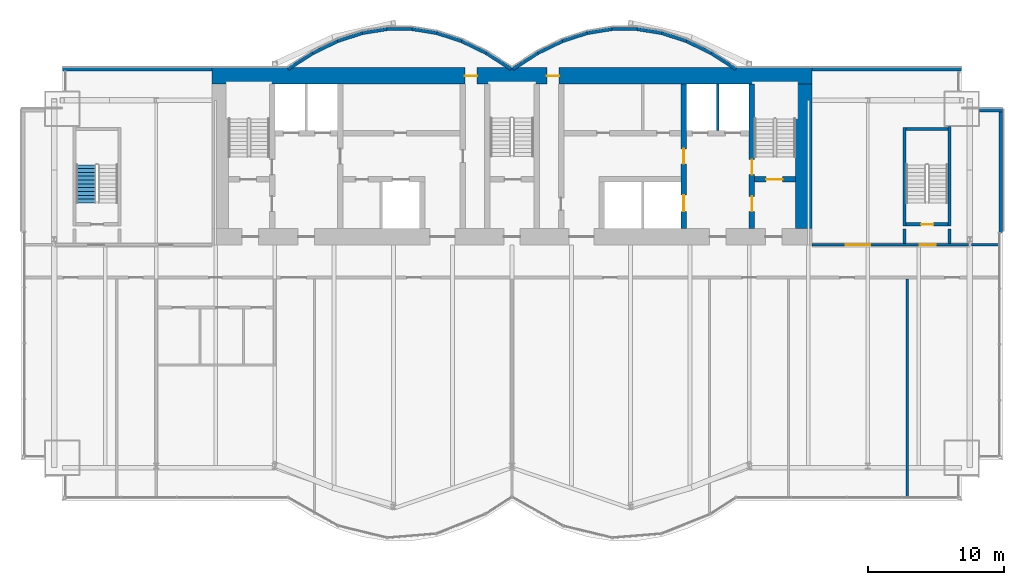
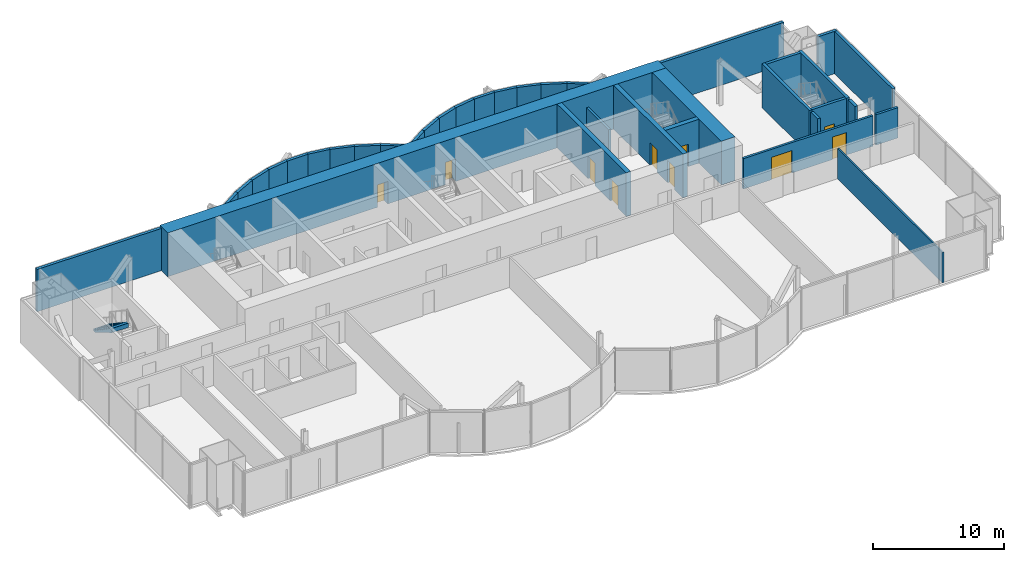
# One storey, part 16 of 20: 37 walls, 10 doors, 1 stair flight, 10 openings, 1 element without a shape of its own.
"""IFC4 building model written with IfcOpenShell, lengths in metres."""

from ifc_helpers import new_model, si_unit, direction, frame, frame_2d, origin, place, context, subcontext, project, spatial, polyline, rectangle, outline, extrude, material, layer, layer_set, layer_usage, type_object, element, fill, aggregate, save


model = new_model("IFC4")

# Units and contexts
model_context = context("Model", 3, precision=1e-05, world=origin(), true_north=direction((0.0, 1.0)))
body_context = subcontext(model_context, "Body", "Model", "MODEL_VIEW")
ifc_project = project(units=[si_unit("LENGTHUNIT", "METRE"), si_unit("AREAUNIT", "SQUARE_METRE"), si_unit("VOLUMEUNIT", "CUBIC_METRE"), si_unit("PLANEANGLEUNIT", "RADIAN"), si_unit("MASSUNIT", "GRAM", prefix="KILO")], contexts=[model_context])

# Site, building, storey
site_placement = place(None, origin())
site = spatial("IfcSite", under=ifc_project, at=site_placement, CompositionType="ELEMENT")
building_placement = place(site_placement, origin())
building = spatial("IfcBuilding", under=site, at=building_placement, Name="Bicima Exchange Tower", CompositionType="ELEMENT")
storey_placement = place(building_placement, frame((0.0, 0.0, 215.5)))
storey = spatial("IfcBuildingStorey", under=building, at=storey_placement, Name="L48", CompositionType="ELEMENT", Elevation=215.5)

# Wall
ifc_material_1 = material(Name="Gypsum board partition")
ifc_layer_1 = layer(ifc_material_1, 0.199951171875)
ifc_layer_set_1 = layer_set([ifc_layer_1], Name="Gypsum board partition")
wall_type_1 = type_object("IfcWallType", Name="Fire-rated gypsum partition 200 EI120", PredefinedType="PARTITIONING", material=ifc_layer_set_1)
wall_1_placement = place(storey_placement, frame((15.10009765625, -4.60009765625, 0.0), z_axis=(0.0, 0.0, 1.0), x_axis=(0.0, 1.0, 0.0)))
element("IfcWall", 1, at=wall_1_placement, inside=storey, type_object=wall_type_1, Name="partition wall 21", PredefinedType="PARTITIONING", context=body_context, shape_type="SweptSolid", body=[
    extrude(rectangle(XDim=3.400146484375, YDim=0.199951171875, at=frame_2d((1.7001953125, 0.0))), origin(), (0.0, 0.0, 1.0), 2.84033203125),
])

# Wall, openings, doors
ifc_layer_2 = layer(ifc_material_1, 0.199951171875)
ifc_layer_set_2 = layer_set([ifc_layer_2], Name="Gypsum board partition")
wall_type_2 = type_object("IfcWallType", Name="Fire-rated gypsum partition 200 EI60", PredefinedType="PARTITIONING", material=ifc_layer_set_2)
wall_2_placement = place(storey_placement, frame((22.0, -13.0, 0.0), z_axis=(0.0, 0.0, 1.0), x_axis=(1.0, 0.0, 0.0)))
wall_2 = element("IfcWall", 2, at=wall_2_placement, inside=storey, type_object=wall_type_2, Name="partition wall 6", PredefinedType="PARTITIONING", context=body_context, shape_type="SweptSolid", body=[
    extrude(rectangle(XDim=11.47998046875, YDim=0.199951171875, at=frame_2d((5.739990234375, 0.0))), origin(), (0.0, 0.0, 1.0), 2.84033203125),
])
opening_1_placement = place(wall_2_placement, frame((7.89990234375, 0.0, 0.0)))
opening_1 = element("IfcOpeningElement", 3, at=opening_1_placement, cuts=wall_2, Name="Opening L48-003", PredefinedType="OPENING", context=body_context, shape_type="SweptSolid", body=[
    extrude(rectangle(XDim=1.199951171875, YDim=2.10009765625, at=frame_2d((0.60009765625, 1.050048828125))), frame((0.0, 0.11181640625, 0.0), z_axis=(0.0, -1.0, 0.0), x_axis=(1.0, 0.0, 0.0)), (0.0, 0.0, 1.0), 0.223876953125),
])
opening_2_placement = place(wall_2_placement, frame((2.5, 0.0, 0.0)))
opening_2 = element("IfcOpeningElement", 4, at=opening_2_placement, cuts=wall_2, Name="Opening L48-006", PredefinedType="OPENING", context=body_context, shape_type="SweptSolid", body=[
    extrude(rectangle(XDim=1.800048828125, YDim=2.10009765625, at=frame_2d((0.89990234375, 1.050048828125))), frame((0.0, 0.11181640625, 0.0), z_axis=(0.0, -1.0, 0.0), x_axis=(1.0, 0.0, 0.0)), (0.0, 0.0, 1.0), 0.223876953125),
])
ifc_material_2 = material(Name="Steel fire door leaf", Category="steel")
door_type_1 = type_object("IfcDoorType", Name="Door 1200 swing FD30S", OperationType="SINGLE_SWING_LEFT", PredefinedType="DOOR", material=ifc_material_2)
door_1_placement = place(opening_1_placement, origin())
door_1 = element("IfcDoor", 5, at=door_1_placement, inside=storey, type_object=door_type_1, Name="Door", OperationType="SINGLE_SWING_RIGHT", OverallHeight=2.10009765625, OverallWidth=1.199951171875, PredefinedType="DOOR", context=body_context, shape_type="SweptSolid", body=[
    extrude(rectangle(XDim=1.199951171875, YDim=2.10009765625, at=frame_2d((0.60009765625, 1.050048828125))), frame((0.0, 0.02490234375, 0.0), z_axis=(0.0, -1.0, 0.0), x_axis=(1.0, 0.0, 0.0)), (0.0, 0.0, 1.0), 0.050048828125),
])
fill(opening_1, door_1)
door_type_2 = type_object("IfcDoorType", Name="Door 1800 double swing FD30S", OperationType="DOUBLE_DOOR_SINGLE_SWING", PredefinedType="DOOR", material=ifc_material_2)
door_2_placement = place(opening_2_placement, origin())
door_2 = element("IfcDoor", 6, at=door_2_placement, inside=storey, type_object=door_type_2, Name="Door", OperationType="SINGLE_SWING_LEFT", OverallHeight=2.10009765625, OverallWidth=1.800048828125, PredefinedType="DOOR", context=body_context, shape_type="SweptSolid", body=[
    extrude(rectangle(XDim=1.800048828125, YDim=2.10009765625, at=frame_2d((0.89990234375, 1.050048828125))), frame((0.0, 0.02490234375, 0.0), z_axis=(0.0, -1.0, 0.0), x_axis=(1.0, 0.0, 0.0)), (0.0, 0.0, 1.0), 0.050048828125),
])
fill(opening_2, door_2)

# Walls
wall_3_placement = place(storey_placement, frame((33.719970703125, -13.0, 0.0), z_axis=(0.0, 0.0, 1.0), x_axis=(1.0, 0.0, 0.0)))
element("IfcWall", 7, at=wall_3_placement, inside=storey, type_object=wall_type_2, Name="partition wall 7", PredefinedType="PARTITIONING", context=body_context, shape_type="SweptSolid", body=[
    extrude(rectangle(XDim=1.9599609375, YDim=0.199951171875, at=frame_2d((0.97998046875, 0.0))), origin(), (0.0, 0.0, 1.0), 2.84033203125),
])
ifc_layer_3 = layer(ifc_material_1, 0.14990234375)
ifc_layer_set_3 = layer_set([ifc_layer_3], Name="Gypsum board partition")
wall_type_3 = type_object("IfcWallType", Name="Gypsum partition 150", PredefinedType="PARTITIONING", material=ifc_layer_set_3)
wall_4_placement = place(storey_placement, frame((29.0, -31.5400390625, 0.0), z_axis=(0.0, 0.0, 1.0), x_axis=(0.0, 1.0, 0.0)))
element("IfcWall", 8, at=wall_4_placement, inside=storey, type_object=wall_type_3, Name="partition wall 26", PredefinedType="PARTITIONING", context=body_context, shape_type="SweptSolid", body=[
    extrude(rectangle(XDim=16.0400390625, YDim=0.14990234375, at=frame_2d((8.02001953125, 0.0))), origin(), (0.0, 0.0, 1.0), 2.84033203125),
])

# Wall, openings, doors
ifc_material_3 = material(Name="Concrete C50/60", Category="concrete")
ifc_layer_4 = layer(ifc_material_3, 1.199951171875)
ifc_layer_set_4 = layer_set([ifc_layer_4], Name="Concrete C50/60")
wall_type_4 = type_object("IfcWallType", Name="RC core wall 1200 C50/60", PredefinedType="SHEAR", material=ifc_layer_set_4)
wall_5_placement = place(storey_placement, frame((-22.0, -0.60009765625, 0.0), z_axis=(0.0, 0.0, 1.0), x_axis=(1.0, 0.0, 0.0)))
wall_5 = element("IfcWall", 9, at=wall_5_placement, inside=storey, type_object=wall_type_4, Name="Core wall north", PredefinedType="SHEAR", context=body_context, shape_type="SweptSolid", body=[
    extrude(rectangle(XDim=44.0, YDim=1.199951171875, at=frame_2d((22.0, 0.0))), origin(), (0.0, 0.0, 1.0), 4.10009765625),
])
opening_3_placement = place(wall_5_placement, frame((18.550048828125, 0.0, 0.0)))
opening_3 = element("IfcOpeningElement", 10, at=opening_3_placement, cuts=wall_5, Name="Opening L48-C16", PredefinedType="OPENING", context=body_context, shape_type="SweptSolid", body=[
    extrude(rectangle(XDim=0.89990234375, YDim=2.10009765625, at=frame_2d((0.449951171875, 1.050048828125))), frame((0.0, 0.61181640625, 0.0), z_axis=(0.0, -1.0, 0.0), x_axis=(1.0, 0.0, 0.0)), (0.0, 0.0, 1.0), 1.223876953125),
])
opening_4_placement = place(wall_5_placement, frame((24.550048828125, 0.0, 0.0)))
opening_4 = element("IfcOpeningElement", 11, at=opening_4_placement, cuts=wall_5, Name="Opening L48-C17", PredefinedType="OPENING", context=body_context, shape_type="SweptSolid", body=[
    extrude(rectangle(XDim=0.89990234375, YDim=2.10009765625, at=frame_2d((0.449951171875, 1.050048828125))), frame((0.0, 0.61181640625, 0.0), z_axis=(0.0, -1.0, 0.0), x_axis=(1.0, 0.0, 0.0)), (0.0, 0.0, 1.0), 1.223876953125),
])
door_type_3 = type_object("IfcDoorType", Name="Door 900 swing FD30S", OperationType="SINGLE_SWING_LEFT", PredefinedType="DOOR", material=ifc_material_2)
door_3_placement = place(opening_3_placement, origin())
door_3 = element("IfcDoor", 12, at=door_3_placement, inside=storey, type_object=door_type_3, Name="Core door", OperationType="SINGLE_SWING_LEFT", OverallHeight=2.10009765625, OverallWidth=0.89990234375, PredefinedType="DOOR", context=body_context, shape_type="SweptSolid", body=[
    extrude(rectangle(XDim=0.89990234375, YDim=2.10009765625, at=frame_2d((0.449951171875, 1.050048828125))), frame((0.0, 0.02490234375, 0.0), z_axis=(0.0, -1.0, 0.0), x_axis=(1.0, 0.0, 0.0)), (0.0, 0.0, 1.0), 0.050048828125),
])
fill(opening_3, door_3)
door_4_placement = place(opening_4_placement, origin())
door_4 = element("IfcDoor", 13, at=door_4_placement, inside=storey, type_object=door_type_3, Name="Core door", OperationType="SINGLE_SWING_LEFT", OverallHeight=2.10009765625, OverallWidth=0.89990234375, PredefinedType="DOOR", context=body_context, shape_type="SweptSolid", body=[
    extrude(rectangle(XDim=0.89990234375, YDim=2.10009765625, at=frame_2d((0.449951171875, 1.050048828125))), frame((0.0, 0.02490234375, 0.0), z_axis=(0.0, -1.0, 0.0), x_axis=(1.0, 0.0, 0.0)), (0.0, 0.0, 1.0), 0.050048828125),
])
fill(opening_4, door_4)

# Walls
wall_6_placement = place(storey_placement, frame((21.39990234375, -11.800048828125, 0.0), z_axis=(0.0, 0.0, 1.0), x_axis=(0.0, 1.0, 0.0)))
element("IfcWall", 14, at=wall_6_placement, inside=storey, type_object=wall_type_4, Name="Core wall east", PredefinedType="SHEAR", context=body_context, shape_type="SweptSolid", body=[
    extrude(rectangle(XDim=10.60009765625, YDim=1.199951171875, at=frame_2d((5.300048828125, 0.0))), origin(), (0.0, 0.0, 1.0), 4.10009765625),
])
ifc_layer_5 = layer(ifc_material_3, 0.25)
ifc_layer_set_5 = layer_set([ifc_layer_5], Name="Concrete C50/60")
wall_type_5 = type_object("IfcWallType", Name="RC core wall 250 C50/60", PredefinedType="SHEAR", material=ifc_layer_set_5)
for number, where, z_axis, x_axis, name in (
    (15, (28.800048828125, -12.89990234375, 0.0), (0.0, 0.0, 1.0), (0.0, 1.0, 0.0), "stair wall 25"),
    (16, (32.10009765625, -12.89990234375, 0.0), (0.0, 0.0, 1.0), (0.0, 1.0, 0.0), "stair wall 27"),
):
    element("IfcWall", number, at=place(storey_placement, frame(where, z_axis=z_axis, x_axis=x_axis)), inside=storey, type_object=wall_type_5, Name=name, PredefinedType="SHEAR", context=body_context, shape_type="SweptSolid", body=[
        extrude(rectangle(XDim=1.0498046875, YDim=0.25, at=frame_2d((0.52490234375, 0.0))), origin(), (0.0, 0.0, 1.0), 4.10009765625),
    ])

# Wall, opening, door
ifc_layer_6 = layer(ifc_material_3, 0.39990234375)
ifc_layer_set_6 = layer_set([ifc_layer_6], Name="Concrete C50/60")
wall_type_6 = type_object("IfcWallType", Name="RC core wall 400 C50/60", PredefinedType="SHEAR", material=ifc_layer_set_6)
wall_7_placement = place(storey_placement, frame((17.800048828125, -8.199951171875, 0.0), z_axis=(0.0, 0.0, 1.0), x_axis=(1.0, 0.0, 0.0)))
wall_7 = element("IfcWall", 17, at=wall_7_placement, inside=storey, type_object=wall_type_6, Name="stair wall 5", PredefinedType="SHEAR", context=body_context, shape_type="SweptSolid", body=[
    extrude(rectangle(XDim=3.0, YDim=0.39990234375, at=frame_2d((1.5, 0.0))), origin(), (0.0, 0.0, 1.0), 4.10009765625),
])
opening_5_placement = place(wall_7_placement, frame((0.85009765625, 0.0, 0.0)))
opening_5 = element("IfcOpeningElement", 18, at=opening_5_placement, cuts=wall_7, Name="Opening L48-C04", PredefinedType="OPENING", context=body_context, shape_type="SweptSolid", body=[
    extrude(rectangle(XDim=1.199951171875, YDim=2.10009765625, at=frame_2d((0.60009765625, 1.050048828125))), frame((0.0, 0.2119140625, 0.0), z_axis=(0.0, -1.0, 0.0), x_axis=(1.0, 0.0, 0.0)), (0.0, 0.0, 1.0), 0.423828125),
])
door_type_4 = type_object("IfcDoorType", Name="Door 1200 swing FD60S", OperationType="SINGLE_SWING_LEFT", PredefinedType="DOOR", material=ifc_material_2)
door_5_placement = place(opening_5_placement, origin())
door_5 = element("IfcDoor", 19, at=door_5_placement, inside=storey, type_object=door_type_4, Name="Core door", OperationType="SINGLE_SWING_RIGHT", OverallHeight=2.10009765625, OverallWidth=1.199951171875, PredefinedType="DOOR", context=body_context, shape_type="SweptSolid", body=[
    extrude(rectangle(XDim=1.199951171875, YDim=2.10009765625, at=frame_2d((0.60009765625, 1.050048828125))), frame((0.0, 0.02490234375, 0.0), z_axis=(0.0, -1.0, 0.0), x_axis=(1.0, 0.0, 0.0)), (0.0, 0.0, 1.0), 0.050048828125),
])
fill(opening_5, door_5)

# Wall, openings, doors
wall_8_placement = place(storey_placement, frame((12.60009765625, -11.800048828125, 0.0), z_axis=(0.0, 0.0, 1.0), x_axis=(0.0, 1.0, 0.0)))
wall_8 = element("IfcWall", 20, at=wall_8_placement, inside=storey, type_object=wall_type_6, Name="shear wall 20", PredefinedType="SHEAR", context=body_context, shape_type="SweptSolid", body=[
    extrude(rectangle(XDim=10.60009765625, YDim=0.39990234375, at=frame_2d((5.300048828125, 0.0))), origin(), (0.0, 0.0, 1.0), 4.10009765625),
])
opening_6_placement = place(wall_8_placement, frame((1.25, 0.0, 0.0)))
opening_6 = element("IfcOpeningElement", 21, at=opening_6_placement, cuts=wall_8, Name="Opening LD-MB2-L48", PredefinedType="OPENING", context=body_context, shape_type="SweptSolid", body=[
    extrude(rectangle(XDim=1.199951171875, YDim=2.10009765625, at=frame_2d((0.60009765625, 1.050048828125))), frame((0.0, 0.2119140625, 0.0), z_axis=(0.0, -1.0, 0.0), x_axis=(1.0, 0.0, 0.0)), (0.0, 0.0, 1.0), 0.423828125),
])
opening_7_placement = place(wall_8_placement, frame((4.75, 0.0, 0.0)))
opening_7 = element("IfcOpeningElement", 22, at=opening_7_placement, cuts=wall_8, Name="Opening L48-C09", PredefinedType="OPENING", context=body_context, shape_type="SweptSolid", body=[
    extrude(rectangle(XDim=1.10009765625, YDim=2.10009765625, at=frame_2d((0.550048828125, 1.050048828125))), frame((0.0, 0.2119140625, 0.0), z_axis=(0.0, -1.0, 0.0), x_axis=(1.0, 0.0, 0.0)), (0.0, 0.0, 1.0), 0.423828125),
])
door_type_5 = type_object("IfcDoorType", Name="Door 1100 swing FD60S", OperationType="SINGLE_SWING_LEFT", PredefinedType="DOOR", material=ifc_material_2)
door_6_placement = place(opening_7_placement, frame((1.10009765625, 0.0, 0.0), z_axis=(0.0, 0.0, 1.0), x_axis=(-1.0, 0.0, 0.0)))
door_6 = element("IfcDoor", 23, at=door_6_placement, inside=storey, type_object=door_type_5, Name="Core door", OperationType="SINGLE_SWING_RIGHT", OverallHeight=2.10009765625, OverallWidth=1.10009765625, PredefinedType="DOOR", context=body_context, shape_type="SweptSolid", body=[
    extrude(rectangle(XDim=1.10009765625, YDim=2.10009765625, at=frame_2d((0.550048828125, 1.050048828125))), frame((0.0, 0.02490234375, 0.0), z_axis=(0.0, -1.0, 0.0), x_axis=(1.0, 0.0, 0.0)), (0.0, 0.0, 1.0), 0.050048828125),
])
fill(opening_7, door_6)
ifc_material_4 = material(Name="Stainless steel", Category="steel")
door_type_6 = type_object("IfcDoorType", Name="Lift landing door 1200 sliding", OperationType="DOUBLE_DOOR_SLIDING", PredefinedType="DOOR", material=ifc_material_4)
door_7_placement = place(opening_6_placement, origin())
door_7 = element("IfcDoor", 24, at=door_7_placement, inside=storey, type_object=door_type_6, Name="Lift landing door MB2", OperationType="DOUBLE_DOOR_SLIDING", OverallHeight=2.10009765625, OverallWidth=1.199951171875, PredefinedType="DOOR", context=body_context, shape_type="SweptSolid", body=[
    extrude(rectangle(XDim=1.199951171875, YDim=2.10009765625, at=frame_2d((0.60009765625, 1.050048828125))), frame((0.0, 0.02490234375, 0.0), z_axis=(0.0, -1.0, 0.0), x_axis=(1.0, 0.0, 0.0)), (0.0, 0.0, 1.0), 0.050048828125),
])
fill(opening_6, door_7)

wall_9_placement = place(storey_placement, frame((17.60009765625, -11.800048828125, 0.0), z_axis=(0.0, 0.0, 1.0), x_axis=(0.0, 1.0, 0.0)))
wall_9 = element("IfcWall", 25, at=wall_9_placement, inside=storey, type_object=wall_type_6, Name="stair wall 22", PredefinedType="SHEAR", context=body_context, shape_type="SweptSolid", body=[
    extrude(rectangle(XDim=10.60009765625, YDim=0.39990234375, at=frame_2d((5.300048828125, 0.0))), origin(), (0.0, 0.0, 1.0), 4.10009765625),
])
opening_8_placement = place(wall_9_placement, frame((1.25, 0.0, 0.0)))
opening_8 = element("IfcOpeningElement", 26, at=opening_8_placement, cuts=wall_9, Name="Opening L48-C05", PredefinedType="OPENING", context=body_context, shape_type="SweptSolid", body=[
    extrude(rectangle(XDim=1.10009765625, YDim=2.10009765625, at=frame_2d((0.550048828125, 1.050048828125))), frame((0.0, 0.2119140625, 0.0), z_axis=(0.0, -1.0, 0.0), x_axis=(1.0, 0.0, 0.0)), (0.0, 0.0, 1.0), 0.423828125),
])
opening_9_placement = place(wall_9_placement, frame((3.949951171875, 0.0, 0.0)))
opening_9 = element("IfcOpeningElement", 27, at=opening_9_placement, cuts=wall_9, Name="Opening L48-C08", PredefinedType="OPENING", context=body_context, shape_type="SweptSolid", body=[
    extrude(rectangle(XDim=1.10009765625, YDim=2.10009765625, at=frame_2d((0.550048828125, 1.050048828125))), frame((0.0, 0.2119140625, 0.0), z_axis=(0.0, -1.0, 0.0), x_axis=(1.0, 0.0, 0.0)), (0.0, 0.0, 1.0), 0.423828125),
])
door_8_placement = place(opening_8_placement, origin())
door_8 = element("IfcDoor", 28, at=door_8_placement, inside=storey, type_object=door_type_5, Name="Core door", OperationType="SINGLE_SWING_LEFT", OverallHeight=2.10009765625, OverallWidth=1.10009765625, PredefinedType="DOOR", context=body_context, shape_type="SweptSolid", body=[
    extrude(rectangle(XDim=1.10009765625, YDim=2.10009765625, at=frame_2d((0.550048828125, 1.050048828125))), frame((0.0, 0.02490234375, 0.0), z_axis=(0.0, -1.0, 0.0), x_axis=(1.0, 0.0, 0.0)), (0.0, 0.0, 1.0), 0.050048828125),
])
fill(opening_8, door_8)
door_9_placement = place(opening_9_placement, origin())
door_9 = element("IfcDoor", 29, at=door_9_placement, inside=storey, type_object=door_type_5, Name="Core door", OperationType="SINGLE_SWING_RIGHT", OverallHeight=2.10009765625, OverallWidth=1.10009765625, PredefinedType="DOOR", context=body_context, shape_type="SweptSolid", body=[
    extrude(rectangle(XDim=1.10009765625, YDim=2.10009765625, at=frame_2d((0.550048828125, 1.050048828125))), frame((0.0, 0.02490234375, 0.0), z_axis=(0.0, -1.0, 0.0), x_axis=(1.0, 0.0, 0.0)), (0.0, 0.0, 1.0), 0.050048828125),
])
fill(opening_9, door_9)

# Walls
ifc_layer_7 = layer(ifc_material_3, 0.25)
ifc_layer_set_7 = layer_set([ifc_layer_7], Name="Concrete C50/60")
wall_type_7 = type_object("IfcWallType", Name="RC stair enclosure wall 250 C50/60", PredefinedType="SHEAR", material=ifc_layer_set_7)
wall_10_placement = place(storey_placement, frame((28.800048828125, -11.625, 0.0), z_axis=(0.0, 0.0, 1.0), x_axis=(0.0, 1.0, 0.0)))
element("IfcWall", 30, at=wall_10_placement, inside=storey, type_object=wall_type_7, Name="East end exit stair wall W", PredefinedType="SHEAR", context=body_context, shape_type="SweptSolid", body=[
    extrude(rectangle(XDim=7.25, YDim=0.25, at=frame_2d((3.625, 0.0))), origin(), (0.0, 0.0, 1.0), 4.10009765625),
])
wall_11_placement = place(storey_placement, frame((32.10009765625, -11.625, 0.0), z_axis=(0.0, 0.0, 1.0), x_axis=(0.0, 1.0, 0.0)))
element("IfcWall", 31, at=wall_11_placement, inside=storey, type_object=wall_type_7, Name="East end exit stair wall E", PredefinedType="SHEAR", context=body_context, shape_type="SweptSolid", body=[
    extrude(rectangle(XDim=7.324951171875, YDim=0.25, at=frame_2d((3.66259765625, 0.0))), origin(), (0.0, 0.0, 1.0), 4.10009765625),
])

# Wall, opening, door
wall_12_placement = place(storey_placement, frame((28.925048828125, -11.5, 0.0), z_axis=(0.0, 0.0, 1.0), x_axis=(1.0, 0.0, 0.0)))
wall_12 = element("IfcWall", 32, at=wall_12_placement, inside=storey, type_object=wall_type_7, Name="East end exit stair wall S", PredefinedType="SHEAR", context=body_context, shape_type="SweptSolid", body=[
    extrude(rectangle(XDim=3.050048828125, YDim=0.25, at=frame_2d((1.52490234375, 0.0))), origin(), (0.0, 0.0, 1.0), 4.10009765625),
])
opening_10_placement = place(wall_12_placement, frame((1.10009765625, 0.0, 0.0)))
opening_10 = element("IfcOpeningElement", 33, at=opening_10_placement, cuts=wall_12, Name="Opening L48-004", PredefinedType="OPENING", context=body_context, shape_type="SweptSolid", body=[
    extrude(rectangle(XDim=0.89990234375, YDim=2.10009765625, at=frame_2d((0.449951171875, 1.050048828125))), frame((0.0, 0.136962890625, 0.0), z_axis=(0.0, -1.0, 0.0), x_axis=(1.0, 0.0, 0.0)), (0.0, 0.0, 1.0), 0.27392578125),
])
door_type_7 = type_object("IfcDoorType", Name="Door 900 swing FD60S", OperationType="SINGLE_SWING_LEFT", PredefinedType="DOOR", material=ifc_material_2)
door_10_placement = place(opening_10_placement, origin())
door_10 = element("IfcDoor", 34, at=door_10_placement, inside=storey, type_object=door_type_7, Name="Door", OperationType="SINGLE_SWING_LEFT", OverallHeight=2.10009765625, OverallWidth=0.89990234375, PredefinedType="DOOR", context=body_context, shape_type="SweptSolid", body=[
    extrude(rectangle(XDim=0.89990234375, YDim=2.10009765625, at=frame_2d((0.449951171875, 1.050048828125))), frame((0.0, 0.02490234375, 0.0), z_axis=(0.0, -1.0, 0.0), x_axis=(1.0, 0.0, 0.0)), (0.0, 0.0, 1.0), 0.050048828125),
])
fill(opening_10, door_10)

# Walls
wall_13_placement = place(storey_placement, frame((28.925048828125, -4.5, 0.0), z_axis=(0.0, 0.0, 1.0), x_axis=(1.0, 0.0, 0.0)))
element("IfcWall", 35, at=wall_13_placement, inside=storey, type_object=wall_type_7, Name="East end exit stair wall N", PredefinedType="SHEAR", context=body_context, shape_type="SweptSolid", body=[
    extrude(rectangle(XDim=3.050048828125, YDim=0.25, at=frame_2d((1.52490234375, 0.0))), origin(), (0.0, 0.0, 1.0), 4.10009765625),
])
ifc_material_5 = material(Name="Concrete C40/50", Category="concrete")
ifc_layer_8 = layer(ifc_material_5, 0.25)
ifc_layer_set_8 = layer_set([ifc_layer_8], Name="Concrete C40/50")
ifc_layer_usage = layer_usage(ifc_layer_set_8, "AXIS2", "POSITIVE", -0.125)
wall_type_8 = type_object("IfcWallType", Name="Rear backup wall 250", PredefinedType="STANDARD", material=ifc_layer_set_8)
wall_14_placement = place(storey_placement, frame((33.0, -0.125, 0.0), z_axis=(0.0, 0.0, 1.0), x_axis=(-1.0, 0.0, 0.0)))
element("IfcWall", 36, at=wall_14_placement, inside=storey, type_object=wall_type_8, material=ifc_layer_usage, Name="Rear backup wall L48 1", PredefinedType="STANDARD", context=body_context, shape_type="SweptSolid", body=[
    extrude(rectangle(XDim=11.0, YDim=0.25, at=frame_2d((5.5, 0.0))), origin(), (0.0, 0.0, 1.0), 3.949951171875),
])
wall_15_placement = place(storey_placement, frame((16.43212890625, -0.10498046875, 0.0), z_axis=(0.0, 0.0, 1.0), x_axis=(-0.83981312244, 0.542875602121, 0.0)))
element("IfcWall", 37, at=wall_15_placement, inside=storey, type_object=wall_type_8, material=ifc_layer_usage, Name="Rear backup wall L48 2", PredefinedType="STANDARD", context=body_context, shape_type="SweptSolid", body=[
    extrude(rectangle(XDim=2.182861328125, YDim=0.25, at=frame_2d((1.09130859375, 0.0))), origin(), (0.0, 0.0, 1.0), 3.949951171875),
])
wall_16_placement = place(storey_placement, frame((14.6123046875, 1.07275390625, 0.0), z_axis=(0.0, 0.0, 1.0), x_axis=(-0.89982408427, 0.436252928206, 0.0)))
element("IfcWall", 38, at=wall_16_placement, inside=storey, type_object=wall_type_8, material=ifc_layer_usage, Name="Rear backup wall L48 3", PredefinedType="STANDARD", context=body_context, shape_type="SweptSolid", body=[
    extrude(rectangle(XDim=2.03759765625, YDim=0.25, at=frame_2d((1.018798828125, 0.0))), origin(), (0.0, 0.0, 1.0), 3.949951171875),
])
wall_17_placement = place(storey_placement, frame((12.794921875, 1.955078125, 0.0), z_axis=(0.0, 0.0, 1.0), x_axis=(-0.951495806175, 0.307661714928, 0.0)))
element("IfcWall", 39, at=wall_17_placement, inside=storey, type_object=wall_type_8, material=ifc_layer_usage, Name="Rear backup wall L48 4", PredefinedType="STANDARD", context=body_context, shape_type="SweptSolid", body=[
    extrude(rectangle(XDim=1.9267578125, YDim=0.25, at=frame_2d((0.96337890625, 0.0))), origin(), (0.0, 0.0, 1.0), 3.949951171875),
])
wall_18_placement = place(storey_placement, frame((10.97998046875, 2.543212890625, 0.0), z_axis=(0.0, 0.0, 1.0), x_axis=(-0.987181718931, 0.159600293885, 0.0)))
element("IfcWall", 40, at=wall_18_placement, inside=storey, type_object=wall_type_8, material=ifc_layer_usage, Name="Rear backup wall L48 5", PredefinedType="STANDARD", context=body_context, shape_type="SweptSolid", body=[
    extrude(rectangle(XDim=1.857177734375, YDim=0.25, at=frame_2d((0.9287109375, 0.0))), origin(), (0.0, 0.0, 1.0), 3.949951171875),
])
wall_19_placement = place(storey_placement, frame((9.166748046875, 2.837890625, 0.0), z_axis=(0.0, 0.0, 1.0), x_axis=(-1.0, 0.0, 0.0)))
element("IfcWall", 41, at=wall_19_placement, inside=storey, type_object=wall_type_8, material=ifc_layer_usage, Name="Rear backup wall L48 6", PredefinedType="STANDARD", context=body_context, shape_type="SweptSolid", body=[
    extrude(rectangle(XDim=1.83349609375, YDim=0.25, at=frame_2d((0.916748046875, 0.0))), origin(), (0.0, 0.0, 1.0), 3.949951171875),
])
wall_20_placement = place(storey_placement, frame((7.353271484375, 2.839599609375, 0.0), z_axis=(0.0, 0.0, 1.0), x_axis=(-0.987181718931, -0.159600293885, 0.0)))
element("IfcWall", 42, at=wall_20_placement, inside=storey, type_object=wall_type_8, material=ifc_layer_usage, Name="Rear backup wall L48 7", PredefinedType="STANDARD", context=body_context, shape_type="SweptSolid", body=[
    extrude(rectangle(XDim=1.857177734375, YDim=0.25, at=frame_2d((0.9287109375, 0.0))), origin(), (0.0, 0.0, 1.0), 3.949951171875),
])
wall_21_placement = place(storey_placement, frame((5.538330078125, 2.5478515625, 0.0), z_axis=(0.0, 0.0, 1.0), x_axis=(-0.951495806175, -0.307661714928, 0.0)))
element("IfcWall", 43, at=wall_21_placement, inside=storey, type_object=wall_type_8, material=ifc_layer_usage, Name="Rear backup wall L48 8", PredefinedType="STANDARD", context=body_context, shape_type="SweptSolid", body=[
    extrude(rectangle(XDim=1.9267578125, YDim=0.25, at=frame_2d((0.96337890625, 0.0))), origin(), (0.0, 0.0, 1.0), 3.949951171875),
])
wall_22_placement = place(storey_placement, frame((3.72119140625, 1.961669921875, 0.0), z_axis=(0.0, 0.0, 1.0), x_axis=(-0.89982408427, -0.436252928206, 0.0)))
element("IfcWall", 44, at=wall_22_placement, inside=storey, type_object=wall_type_8, material=ifc_layer_usage, Name="Rear backup wall L48 9", PredefinedType="STANDARD", context=body_context, shape_type="SweptSolid", body=[
    extrude(rectangle(XDim=2.03759765625, YDim=0.25, at=frame_2d((1.018798828125, 0.0))), origin(), (0.0, 0.0, 1.0), 3.949951171875),
])
for number, where, z_axis, x_axis, name in (
    (45, (1.901123046875, 1.080078125, 0.0), (0.0, 0.0, 1.0), (-0.83981312244, -0.542875602121, 0.0), "Rear backup wall L48 10"),
    (46, (-0.06787109375, -0.10498046875, 0.0), (0.0, 0.0, 1.0), (-0.83981312244, 0.542875602121, 0.0), "Rear backup wall L48 11"),
):
    element("IfcWall", number, at=place(storey_placement, frame(where, z_axis=z_axis, x_axis=x_axis)), inside=storey, type_object=wall_type_8, material=ifc_layer_usage, Name=name, PredefinedType="STANDARD", context=body_context, shape_type="SweptSolid", body=[
        extrude(rectangle(XDim=2.182861328125, YDim=0.25, at=frame_2d((1.09130859375, 0.0))), origin(), (0.0, 0.0, 1.0), 3.949951171875),
    ])
wall_23_placement = place(storey_placement, frame((-1.8876953125, 1.07275390625, 0.0), z_axis=(0.0, 0.0, 1.0), x_axis=(-0.89982408427, 0.436252928206, 0.0)))
element("IfcWall", 47, at=wall_23_placement, inside=storey, type_object=wall_type_8, material=ifc_layer_usage, Name="Rear backup wall L48 12", PredefinedType="STANDARD", context=body_context, shape_type="SweptSolid", body=[
    extrude(rectangle(XDim=2.03759765625, YDim=0.25, at=frame_2d((1.018798828125, 0.0))), origin(), (0.0, 0.0, 1.0), 3.949951171875),
])
wall_24_placement = place(storey_placement, frame((-3.705078125, 1.955078125, 0.0), z_axis=(0.0, 0.0, 1.0), x_axis=(-0.951495806175, 0.307661714928, 0.0)))
element("IfcWall", 48, at=wall_24_placement, inside=storey, type_object=wall_type_8, material=ifc_layer_usage, Name="Rear backup wall L48 13", PredefinedType="STANDARD", context=body_context, shape_type="SweptSolid", body=[
    extrude(rectangle(XDim=1.9267578125, YDim=0.25, at=frame_2d((0.96337890625, 0.0))), origin(), (0.0, 0.0, 1.0), 3.949951171875),
])
wall_25_placement = place(storey_placement, frame((-5.52001953125, 2.543212890625, 0.0), z_axis=(0.0, 0.0, 1.0), x_axis=(-0.987181718931, 0.159600293885, 0.0)))
element("IfcWall", 49, at=wall_25_placement, inside=storey, type_object=wall_type_8, material=ifc_layer_usage, Name="Rear backup wall L48 14", PredefinedType="STANDARD", context=body_context, shape_type="SweptSolid", body=[
    extrude(rectangle(XDim=1.857177734375, YDim=0.25, at=frame_2d((0.9287109375, 0.0))), origin(), (0.0, 0.0, 1.0), 3.949951171875),
])
wall_26_placement = place(storey_placement, frame((-7.333251953125, 2.837890625, 0.0), z_axis=(0.0, 0.0, 1.0), x_axis=(-1.0, 0.0, 0.0)))
element("IfcWall", 50, at=wall_26_placement, inside=storey, type_object=wall_type_8, material=ifc_layer_usage, Name="Rear backup wall L48 15", PredefinedType="STANDARD", context=body_context, shape_type="SweptSolid", body=[
    extrude(rectangle(XDim=1.83349609375, YDim=0.25, at=frame_2d((0.916748046875, 0.0))), origin(), (0.0, 0.0, 1.0), 3.949951171875),
])
wall_27_placement = place(storey_placement, frame((-9.146728515625, 2.839599609375, 0.0), z_axis=(0.0, 0.0, 1.0), x_axis=(-0.987181718931, -0.159600293885, 0.0)))
element("IfcWall", 51, at=wall_27_placement, inside=storey, type_object=wall_type_8, material=ifc_layer_usage, Name="Rear backup wall L48 16", PredefinedType="STANDARD", context=body_context, shape_type="SweptSolid", body=[
    extrude(rectangle(XDim=1.857177734375, YDim=0.25, at=frame_2d((0.9287109375, 0.0))), origin(), (0.0, 0.0, 1.0), 3.949951171875),
])
wall_28_placement = place(storey_placement, frame((-10.961669921875, 2.5478515625, 0.0), z_axis=(0.0, 0.0, 1.0), x_axis=(-0.951495806175, -0.307661714928, 0.0)))
element("IfcWall", 52, at=wall_28_placement, inside=storey, type_object=wall_type_8, material=ifc_layer_usage, Name="Rear backup wall L48 17", PredefinedType="STANDARD", context=body_context, shape_type="SweptSolid", body=[
    extrude(rectangle(XDim=1.9267578125, YDim=0.25, at=frame_2d((0.96337890625, 0.0))), origin(), (0.0, 0.0, 1.0), 3.949951171875),
])
wall_29_placement = place(storey_placement, frame((-12.77880859375, 1.961669921875, 0.0), z_axis=(0.0, 0.0, 1.0), x_axis=(-0.89982408427, -0.436252928206, 0.0)))
element("IfcWall", 53, at=wall_29_placement, inside=storey, type_object=wall_type_8, material=ifc_layer_usage, Name="Rear backup wall L48 18", PredefinedType="STANDARD", context=body_context, shape_type="SweptSolid", body=[
    extrude(rectangle(XDim=2.03759765625, YDim=0.25, at=frame_2d((1.018798828125, 0.0))), origin(), (0.0, 0.0, 1.0), 3.949951171875),
])
wall_30_placement = place(storey_placement, frame((-14.598876953125, 1.080078125, 0.0), z_axis=(0.0, 0.0, 1.0), x_axis=(-0.83981312244, -0.542875602121, 0.0)))
element("IfcWall", 54, at=wall_30_placement, inside=storey, type_object=wall_type_8, material=ifc_layer_usage, Name="Rear backup wall L48 19", PredefinedType="STANDARD", context=body_context, shape_type="SweptSolid", body=[
    extrude(rectangle(XDim=2.182861328125, YDim=0.25, at=frame_2d((1.09130859375, 0.0))), origin(), (0.0, 0.0, 1.0), 3.949951171875),
])
wall_31_placement = place(storey_placement, frame((-22.0, -0.125, 0.0), z_axis=(0.0, 0.0, 1.0), x_axis=(-1.0, 0.0, 0.0)))
element("IfcWall", 55, at=wall_31_placement, inside=storey, type_object=wall_type_8, material=ifc_layer_usage, Name="Rear backup wall L48 20", PredefinedType="STANDARD", context=body_context, shape_type="SweptSolid", body=[
    extrude(rectangle(XDim=11.0, YDim=0.25, at=frame_2d((5.5, 0.0))), origin(), (0.0, 0.0, 1.0), 3.949951171875),
])
wall_32_placement = place(storey_placement, frame((35.875, -12.090087890625, 0.0), z_axis=(0.0, 0.0, 1.0), x_axis=(0.0, 1.0, 0.0)))
element("IfcWall", 56, at=wall_32_placement, inside=storey, type_object=wall_type_8, material=ifc_layer_usage, Name="Rear backup wall L48 50", PredefinedType="STANDARD", context=body_context, shape_type="SweptSolid", body=[
    extrude(rectangle(XDim=9.090087890625, YDim=0.25, at=frame_2d((4.544921875, 0.0))), origin(), (0.0, 0.0, 1.0), 3.949951171875),
])
wall_33_placement = place(storey_placement, frame((36.0, -3.125, 0.0), z_axis=(0.0, 0.0, 1.0), x_axis=(-1.0, 0.0, 0.0)))
element("IfcWall", 57, at=wall_33_placement, inside=storey, type_object=wall_type_8, material=ifc_layer_usage, Name="Rear backup wall L48 51", PredefinedType="STANDARD", context=body_context, shape_type="SweptSolid", body=[
    extrude(rectangle(XDim=1.699951171875, YDim=0.25, at=frame_2d((0.85009765625, 0.0))), origin(), (0.0, 0.0, 1.0), 3.949951171875),
])

# Stair, stair flight
stair_type = type_object("IfcStairType", Name="Exit stair", PredefinedType="HALF_TURN_STAIR", material=ifc_material_3)
stair_placement = place(storey_placement, origin())
stair = element("IfcStair", 58, at=stair_placement, inside=storey, type_object=stair_type, Name="L48 West end exit stair", PredefinedType="HALF_TURN_STAIR")
stair_flight_type = type_object("IfcStairFlightType", Name="Stair flight RC", PredefinedType="STRAIGHT", material=ifc_material_3)
stair_flight_placement = place(storey_placement, frame((-31.25, -7.125, 2.050048828125), z_axis=(0.0, 0.0, 1.0), x_axis=(0.0, -1.0, 0.0)))
stair_flight = element("IfcStairFlight", 59, at=stair_flight_placement, type_object=stair_flight_type, Name="ST-WW flight 2", NumberOfRisers=11, NumberOfTreads=10, PredefinedType="STRAIGHT", RiserHeight=0.186363636, TreadLength=0.28, context=body_context, shape_type="SweptSolid", body=[
    extrude(outline(polyline([(0.0, 0.0), (0.0, 0.186279296875), (0.280029296875, 0.186279296875), (0.280029296875, 0.372802734375), (0.56005859375, 0.372802734375), (0.56005859375, 0.55908203125), (0.840087890625, 0.55908203125), (0.840087890625, 0.745361328125), (1.1201171875, 0.745361328125), (1.1201171875, 0.931884765625), (1.39990234375, 0.931884765625), (1.39990234375, 1.1181640625), (1.679931640625, 1.1181640625), (1.679931640625, 1.304443359375), (1.9599609375, 1.304443359375), (1.9599609375, 1.490966796875), (2.239990234375, 1.490966796875), (2.239990234375, 1.67724609375), (2.52001953125, 1.67724609375), (2.52001953125, 1.863525390625), (2.800048828125, 1.863525390625), (2.800048828125, 1.904052734375), (2.81494140625, 1.904052734375), (2.81494140625, 1.507080078125), (0.2705078125, 0.0), (0.0, 0.0)])), frame((0.0, 0.72509765625, 0.0), z_axis=(0.0, -1.0, 0.0), x_axis=(1.0, 0.0, 0.0)), (0.0, 0.0, 1.0), 1.449951171875),
])
aggregate(stair, [stair_flight])

save(model, "model.ifc")
